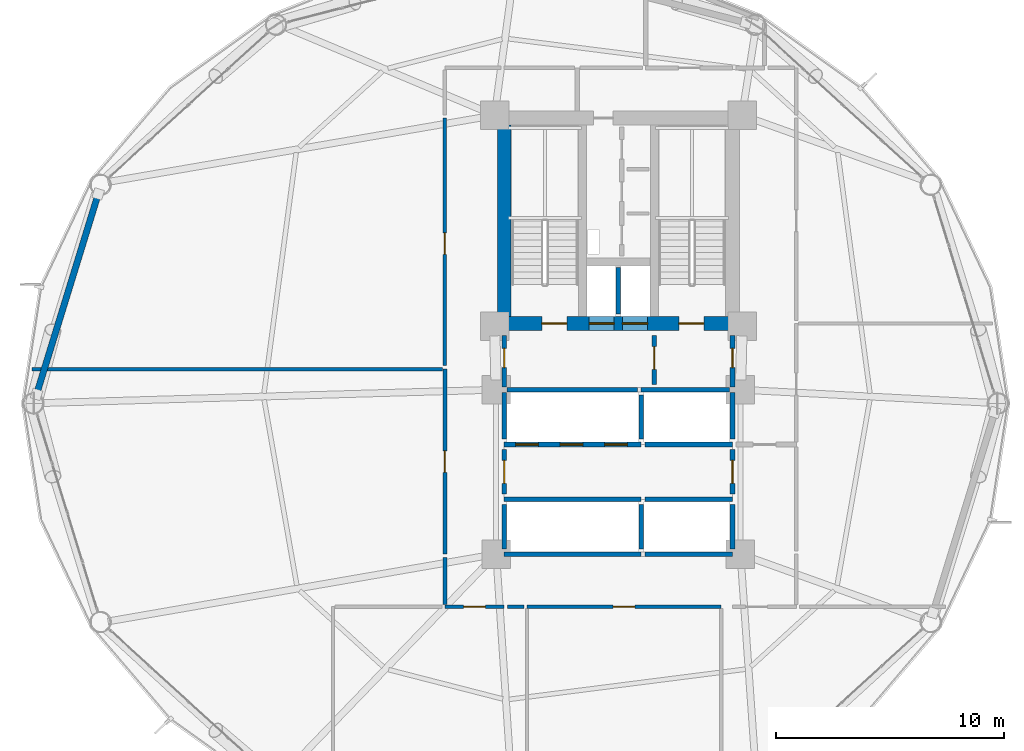
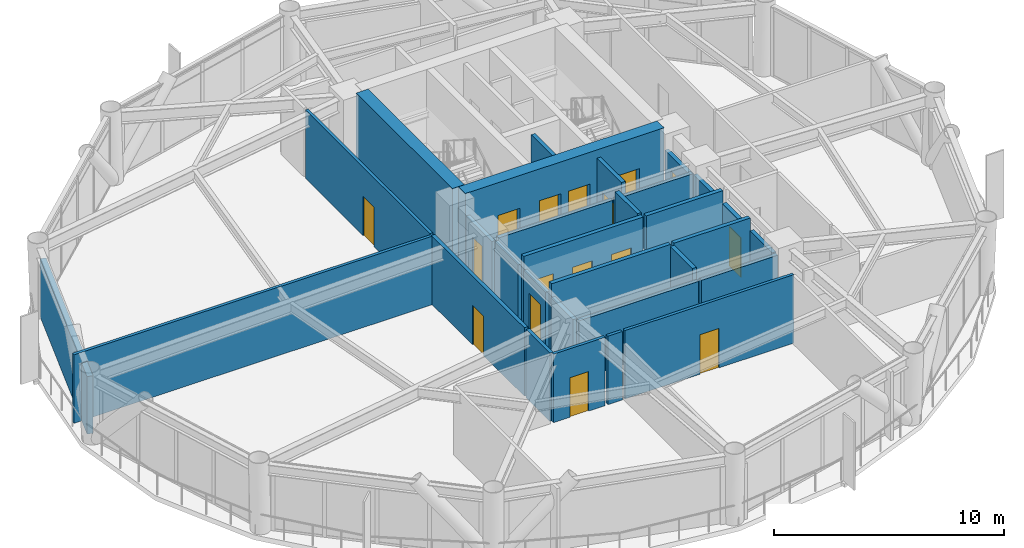
# One storey, part 21 of 26: 30 walls, 16 doors, 16 openings.
"""IFC4 building model written with IfcOpenShell, lengths in metres."""

import ifcopenshell
import ifcopenshell.guid

model = None  # the IFC model being written
_history = None  # IfcOwnerHistory: only IFC2X3 demands one
_inside = {}  # id of a spatial element -> (the spatial element, [elements in it])
_under = {}  # id of a project, library or spatial element -> (it, [spatial elements below it])
_declared = {}  # id of a project -> (the project, [libraries it declares])
_typed = {}  # id of a type object -> (the type object, [elements of that type])
_made_of = {}  # id of a material, layer set ... -> (it, [elements and type objects made of it])


def new_model(schema):
    """Start an empty IFC model of exactly this schema.

    Asked for "IFC4X3", IfcOpenShell would pick the latest addendum, in which some entities
    have other attributes; the version numbers below select the first issue.
    IFC2X3 requires an IfcOwnerHistory on every rooted entity: one is made here for all.
    """
    global model, _history
    if schema == "IFC4X3":
        model = ifcopenshell.file(schema_version=(4, 3, 0, 0))
    else:
        model = ifcopenshell.file(schema=schema)
    _inside.clear()
    _under.clear()
    _declared.clear()
    _typed.clear()
    _made_of.clear()
    _history = None
    if model.schema == "IFC2X3":
        org = make("IfcOrganization", Name="unknown")
        user = make(
            "IfcPersonAndOrganization",
            ThePerson=make("IfcPerson", FamilyName="unknown"),
            TheOrganization=org,
        )
        app = make(
            "IfcApplication",
            ApplicationDeveloper=org,
            Version="unknown",
            ApplicationFullName="unknown",
            ApplicationIdentifier="unknown",
        )
        _history = make(
            "IfcOwnerHistory",
            OwningUser=user,
            OwningApplication=app,
            ChangeAction="ADDED",
            CreationDate=0,
        )
    return model


def make(cls, **values):
    """One entity of the class cls with the attributes given. An attribute that is None is left unset."""
    return model.create_entity(
        cls, **{name: value for name, value in values.items() if value is not None}
    )


def rooted(cls, **values):
    """An entity with a GlobalId (a new one), such as an element, a storey or a relation."""
    return make(cls, GlobalId=ifcopenshell.guid.new(), OwnerHistory=_history, **values)


def si_unit(unit_type, name, prefix=None):
    """IfcSIUnit, for example si_unit("LENGTHUNIT", "METRE", prefix="MILLI")."""
    return make("IfcSIUnit", UnitType=unit_type, Prefix=prefix, Name=name)


def assignment(units):
    """IfcUnitAssignment: the units of a project."""
    return None if units is None else make("IfcUnitAssignment", Units=units)


def point(xyz):
    """IfcCartesianPoint."""
    return None if xyz is None else make("IfcCartesianPoint", Coordinates=xyz)


def direction(xyz):
    """IfcDirection."""
    return None if xyz is None else make("IfcDirection", DirectionRatios=xyz)


def frame(location, z_axis=None, x_axis=None):
    """IfcAxis2Placement3D, a coordinate frame: its origin and axes. An axis left out is left unset."""
    return make(
        "IfcAxis2Placement3D",
        Location=point(location),
        Axis=direction(z_axis),
        RefDirection=direction(x_axis),
    )


def frame_2d(location, x_axis=None):
    """IfcAxis2Placement2D, a coordinate frame in the plane: its origin and x axis."""
    return make(
        "IfcAxis2Placement2D", Location=point(location), RefDirection=direction(x_axis)
    )


def origin():
    """The frame at (0, 0, 0) with its axes left unset."""
    return frame((0.0, 0.0, 0.0))


def place(relative_to, where):
    """IfcLocalPlacement: puts the frame where relative to a parent placement (None: the world)."""
    return make(
        "IfcLocalPlacement", PlacementRelTo=relative_to, RelativePlacement=where
    )


def context(
    kind, dimensions, precision=None, world=None, true_north=None, identifier=None
):
    """IfcGeometricRepresentationContext, for example the 3D "Model" context."""
    return make(
        "IfcGeometricRepresentationContext",
        ContextIdentifier=identifier,
        ContextType=kind,
        CoordinateSpaceDimension=dimensions,
        Precision=precision,
        WorldCoordinateSystem=world,
        TrueNorth=true_north,
    )


def subcontext(parent, identifier, kind, view, scale=None):
    """IfcGeometricRepresentationSubContext, for example "Body" below "Model"."""
    return make(
        "IfcGeometricRepresentationSubContext",
        ContextIdentifier=identifier,
        ContextType=kind,
        ParentContext=parent,
        TargetScale=scale,
        TargetView=view,
    )


def project(units=None, contexts=None):
    """IfcProject with its units and contexts."""
    return rooted(
        "IfcProject",
        Name="project",
        RepresentationContexts=contexts,
        UnitsInContext=assignment(units),
    )


def spatial(cls, under=None, at=None, **own):
    """A site, building, storey or space (cls), placed at a placement, below another one or the project."""
    s = rooted(cls, ObjectPlacement=at, **own)
    if under is not None:
        _under.setdefault(under.id(), (under, []))[1].append(s)
    return s


def profile(cls, at=None, kind="AREA", **sizes):
    """A parametric profile (cls). Its sizes go by their IFC names, for example OverallWidth=200.0."""
    return make(cls, ProfileType=kind, Position=at, **sizes)


def rectangle(**sizes):
    """IfcRectangleProfileDef."""
    return profile("IfcRectangleProfileDef", **sizes)


def extrude(swept, where, along, depth):
    """IfcExtrudedAreaSolid: the profile swept, set in the frame where, extruded along a direction by depth."""
    return make(
        "IfcExtrudedAreaSolid",
        SweptArea=swept,
        Position=where,
        ExtrudedDirection=direction(along),
        Depth=depth,
    )


def shape(context_of_items, identifier, shape_type, items):
    """IfcShapeRepresentation: the items that make up one representation, for example the "Body"."""
    return make(
        "IfcShapeRepresentation",
        ContextOfItems=context_of_items,
        RepresentationIdentifier=identifier,
        RepresentationType=shape_type,
        Items=items,
    )


def material(Name=None, Category=None):
    """IfcMaterial."""
    return make("IfcMaterial", Name=Name, Category=Category)


def layer(
    of_material, thickness, ventilated=None, Name=None, Category=None, Priority=None
):
    """IfcMaterialLayer: one layer of a wall or slab, of a material (None: an air gap)."""
    return make(
        "IfcMaterialLayer",
        Material=of_material,
        LayerThickness=thickness,
        IsVentilated=ventilated,
        Name=Name,
        Category=Category,
        Priority=Priority,
    )


def layer_set(layers, Name=None):
    """IfcMaterialLayerSet."""
    return make("IfcMaterialLayerSet", MaterialLayers=layers, LayerSetName=Name)


def made_of(thing, what):
    """Note that an element or type object is made of a material, layer set ...; save() writes the relation."""
    if what is not None:
        _made_of.setdefault(what.id(), (what, []))[1].append(thing)
    return thing


def type_object(cls, material=None, **own):
    """A type object (cls), such as IfcWallType, which elements share."""
    return made_of(rooted(cls, **own), material)


def element(
    cls,
    number,
    at=None,
    inside=None,
    cuts=None,
    type_object=None,
    material=None,
    context=None,
    identifier="Body",
    shape_type=None,
    held_by="IfcProductDefinitionShape",
    body=None,
    shapes=None,
    **own,
):
    """One element of the class cls, such as IfcWall. Its Tag is "e" and its number.

    at: its placement. inside: the storey or other place that contains it. cuts: it is an
    opening in that element (IfcRelVoidsElement). A single representation is given by context,
    identifier, shape_type and body (its items); several are given by shapes. held_by: the class
    of the entity that holds the representations. save() writes the other relations.
    """
    e = rooted(cls, Tag="e%d" % number, ObjectPlacement=at, **own)
    if body is not None:
        shapes = [shape(context, identifier, shape_type, body)]
    if shapes is not None:
        e.Representation = make(held_by, Representations=shapes)
    if inside is not None:
        _inside.setdefault(inside.id(), (inside, []))[1].append(e)
    if cuts is not None:
        rooted(
            "IfcRelVoidsElement", RelatingBuildingElement=cuts, RelatedOpeningElement=e
        )
    if type_object is not None:
        _typed.setdefault(type_object.id(), (type_object, []))[1].append(e)
    return made_of(e, material)


def fill(opening, filler):
    """IfcRelFillsElement: the door or window that sits in an opening."""
    return rooted(
        "IfcRelFillsElement",
        RelatingOpeningElement=opening,
        RelatedBuildingElement=filler,
    )


def aggregate(whole, parts):
    """IfcRelAggregates: a whole, such as a stair, and the parts it consists of."""
    return rooted("IfcRelAggregates", RelatingObject=whole, RelatedObjects=parts)


def save(model, path):
    """Write the relations noted so far, then the file.

    IfcRelAggregates (storeys below a building ...), IfcRelContainedInSpatialStructure (elements
    in a storey), IfcRelDefinesByType, IfcRelAssociatesMaterial and IfcRelDeclares: one each for
    every whole, place, type object, material and project.
    """
    for whole, parts in _under.values():
        aggregate(whole, parts)
    for where, things in _inside.values():
        rooted(
            "IfcRelContainedInSpatialStructure",
            RelatedElements=things,
            RelatingStructure=where,
        )
    for kind, things in _typed.values():
        rooted("IfcRelDefinesByType", RelatedObjects=things, RelatingType=kind)
    for what, things in _made_of.values():
        rooted("IfcRelAssociatesMaterial", RelatedObjects=things, RelatingMaterial=what)
    for by, libraries in _declared.values():
        rooted("IfcRelDeclares", RelatingContext=by, RelatedDefinitions=libraries)
    model.write(path)


model = new_model("IFC4")

# Units and contexts
model_context = context("Model", 3, precision=1e-05, world=origin(), true_north=direction((0.0, 1.0)))
body_context = subcontext(model_context, "Body", "Model", "MODEL_VIEW")
ifc_project = project(units=[si_unit("LENGTHUNIT", "METRE"), si_unit("AREAUNIT", "SQUARE_METRE"), si_unit("VOLUMEUNIT", "CUBIC_METRE"), si_unit("PLANEANGLEUNIT", "RADIAN"), si_unit("MASSUNIT", "GRAM", prefix="KILO")], contexts=[model_context])

# Site, building, storey
site_placement = place(None, origin())
site = spatial("IfcSite", under=ifc_project, at=site_placement, CompositionType="ELEMENT")
building_placement = place(site_placement, origin())
building = spatial("IfcBuilding", under=site, at=building_placement, Name="Varnakorn Sky Granary", CompositionType="ELEMENT")
storey_placement = place(building_placement, frame((0.0, 0.0, 51.0)))
storey = spatial("IfcBuildingStorey", under=building, at=storey_placement, Name="L12", CompositionType="ELEMENT", Elevation=51.0)

# Wall, openings, doors
ifc_material_1 = material(Name="Concrete C60/75", Category="concrete")
ifc_layer_1 = layer(ifc_material_1, 0.60009765625, Name="Concrete C60/75")
ifc_layer_set_1 = layer_set([ifc_layer_1], Name="Concrete C60/75")
wall_type_1 = type_object("IfcWallType", Name="WT-CW-SHEAR-600", PredefinedType="SHEAR", material=ifc_layer_set_1)
wall_1_placement = place(storey_placement, frame((-2.0, 3.5, 0.0), z_axis=(0.0, 0.0, 1.0), x_axis=(1.0, 0.0, 0.0)))
wall_1 = element("IfcWall", 1, at=wall_1_placement, inside=storey, type_object=wall_type_1, Name="Core South Shear Wall L12", PredefinedType="SHEAR", context=body_context, shape_type="SweptSolid", body=[
    extrude(rectangle(XDim=10.0, YDim=0.60009765625, at=frame_2d((5.0, 0.0))), origin(), (0.0, 0.0, 1.0), 3.89208984375),
])
opening_1_placement = place(wall_1_placement, frame((1.64990234375, 0.0, 0.0)))
opening_1 = element("IfcOpeningElement", 2, at=opening_1_placement, cuts=wall_1, Name="Opening FD-90", PredefinedType="OPENING", context=body_context, shape_type="SweptSolid", body=[
    extrude(rectangle(XDim=1.10009765625, YDim=2.14990234375, at=frame_2d((0.550048828125, 1.074951171875))), frame((0.0, 0.31005859375, 0.0), z_axis=(0.0, -1.0, 0.0), x_axis=(1.0, 0.0, 0.0)), (0.0, 0.0, 1.0), 0.6201171875),
])
opening_2_placement = place(wall_1_placement, frame((7.64990234375, 0.0, 0.0)))
opening_2 = element("IfcOpeningElement", 3, at=opening_2_placement, cuts=wall_1, Name="Opening FD-90", PredefinedType="OPENING", context=body_context, shape_type="SweptSolid", body=[
    extrude(rectangle(XDim=1.10009765625, YDim=2.14990234375, at=frame_2d((0.550048828125, 1.074951171875))), frame((0.0, 0.31005859375, 0.0), z_axis=(0.0, -1.0, 0.0), x_axis=(1.0, 0.0, 0.0)), (0.0, 0.0, 1.0), 0.6201171875),
])
opening_3_placement = place(wall_1_placement, frame((3.719970703125, 0.0, 0.0)))
opening_3 = element("IfcOpeningElement", 4, at=opening_3_placement, cuts=wall_1, Name="Opening LD-01", PredefinedType="OPENING", context=body_context, shape_type="SweptSolid", body=[
    extrude(rectangle(XDim=1.10009765625, YDim=2.199951171875, at=frame_2d((0.550048828125, 1.10009765625))), frame((0.0, 0.31005859375, 0.0), z_axis=(0.0, -1.0, 0.0), x_axis=(1.0, 0.0, 0.0)), (0.0, 0.0, 1.0), 0.6201171875),
])
opening_4_placement = place(wall_1_placement, frame((5.179931640625, 0.0, 0.0)))
opening_4 = element("IfcOpeningElement", 5, at=opening_4_placement, cuts=wall_1, Name="Opening LD-01", PredefinedType="OPENING", context=body_context, shape_type="SweptSolid", body=[
    extrude(rectangle(XDim=1.10009765625, YDim=2.199951171875, at=frame_2d((0.550048828125, 1.10009765625))), frame((0.0, 0.31005859375, 0.0), z_axis=(0.0, -1.0, 0.0), x_axis=(1.0, 0.0, 0.0)), (0.0, 0.0, 1.0), 0.6201171875),
])
ifc_material_2 = material(Name="Brushed Bronze Stainless Steel", Category="steel")
door_type_1 = type_object("IfcDoorType", Name="DR-LD-1100", OperationType="DOUBLE_DOOR_SLIDING", PredefinedType="DOOR", material=ifc_material_2)
door_1_placement = place(opening_3_placement, origin())
door_1 = element("IfcDoor", 6, at=door_1_placement, inside=storey, type_object=door_type_1, Name="Firefighting Lift FFL-1 Landing Door L12", OperationType="DOUBLE_DOOR_SLIDING", OverallHeight=2.199951171875, OverallWidth=1.10009765625, PredefinedType="DOOR", context=body_context, shape_type="SweptSolid", body=[
    extrude(rectangle(XDim=1.10009765625, YDim=2.199951171875, at=frame_2d((0.550048828125, 1.10009765625))), frame((0.0, 0.02490234375, 0.0), z_axis=(0.0, -1.0, 0.0), x_axis=(1.0, 0.0, 0.0)), (0.0, 0.0, 1.0), 0.050048828125),
])
fill(opening_3, door_1)
door_2_placement = place(opening_4_placement, origin())
door_2 = element("IfcDoor", 7, at=door_2_placement, inside=storey, type_object=door_type_1, Name="Firefighting Lift FFL-2 Landing Door L12", OperationType="DOUBLE_DOOR_SLIDING", OverallHeight=2.199951171875, OverallWidth=1.10009765625, PredefinedType="DOOR", context=body_context, shape_type="SweptSolid", body=[
    extrude(rectangle(XDim=1.10009765625, YDim=2.199951171875, at=frame_2d((0.550048828125, 1.10009765625))), frame((0.0, 0.02490234375, 0.0), z_axis=(0.0, -1.0, 0.0), x_axis=(1.0, 0.0, 0.0)), (0.0, 0.0, 1.0), 0.050048828125),
])
fill(opening_4, door_2)
ifc_material_3 = material(Name="Galvanised Painted Steel Leaf", Category="steel")
door_type_2 = type_object("IfcDoorType", Name="DR-STAIR-1100", OperationType="NOTDEFINED", PredefinedType="DOOR", material=ifc_material_3)
door_3_placement = place(opening_1_placement, origin())
door_3 = element("IfcDoor", 8, at=door_3_placement, inside=storey, type_object=door_type_2, Name="Stair ST-1 Protected Fire Door L12", OperationType="SINGLE_SWING_LEFT", OverallHeight=2.14990234375, OverallWidth=1.10009765625, PredefinedType="DOOR", context=body_context, shape_type="SweptSolid", body=[
    extrude(rectangle(XDim=1.10009765625, YDim=2.14990234375, at=frame_2d((0.550048828125, 1.074951171875))), frame((0.0, 0.02490234375, 0.0), z_axis=(0.0, -1.0, 0.0), x_axis=(1.0, 0.0, 0.0)), (0.0, 0.0, 1.0), 0.050048828125),
])
fill(opening_1, door_3)
door_4_placement = place(opening_2_placement, origin())
door_4 = element("IfcDoor", 9, at=door_4_placement, inside=storey, type_object=door_type_2, Name="Stair ST-2 Protected Fire Door L12", OperationType="SINGLE_SWING_RIGHT", OverallHeight=2.14990234375, OverallWidth=1.10009765625, PredefinedType="DOOR", context=body_context, shape_type="SweptSolid", body=[
    extrude(rectangle(XDim=1.10009765625, YDim=2.14990234375, at=frame_2d((0.550048828125, 1.074951171875))), frame((0.0, 0.02490234375, 0.0), z_axis=(0.0, -1.0, 0.0), x_axis=(1.0, 0.0, 0.0)), (0.0, 0.0, 1.0), 0.050048828125),
])
fill(opening_2, door_4)

# Walls
wall_2_placement = place(storey_placement, frame((-2.0, 3.81005859375, 0.0), z_axis=(0.0, 0.0, 1.0), x_axis=(0.0, 1.0, 0.0)))
element("IfcWall", 10, at=wall_2_placement, inside=storey, type_object=wall_type_1, Name="Core West Shear Wall L12", PredefinedType="SHEAR", context=body_context, shape_type="SweptSolid", body=[
    extrude(rectangle(XDim=8.3798828125, YDim=0.60009765625, at=frame_2d((4.18994140625, 0.0))), origin(), (0.0, 0.0, 1.0), 3.89208984375),
])
ifc_material_4 = material(Name="Precast concrete C40/50", Category="concrete")
ifc_layer_2 = layer(ifc_material_4, 0.280029296875, Name="Precast concrete C40/50")
ifc_layer_set_2 = layer_set([ifc_layer_2], Name="Precast concrete C40/50")
wall_type_2 = type_object("IfcWallType", Name="WT-EW-CRN-280", PredefinedType="SOLIDWALL", material=ifc_layer_set_2)
wall_3_placement = place(storey_placement, frame((-22.48681640625, 0.393798828125, 0.0), z_axis=(0.0, 0.0, 1.0), x_axis=(0.29412506019, 0.95576694281, 0.0)))
element("IfcWall", 11, at=wall_3_placement, inside=storey, type_object=wall_type_2, Name="Agritech Insulated Precast Facade Wall L12-P06", PredefinedType="SOLIDWALL", context=body_context, shape_type="SweptSolid", body=[
    extrude(rectangle(XDim=9.18798828125, YDim=0.280029296875, at=frame_2d((4.593994140625, 0.0))), origin(), (0.0, 0.0, 1.0), 3.06005859375),
])

# Wall, opening, door
ifc_material_5 = material(Name="Autoclaved Aerated Concrete Blockwork", Category="masonry")
ifc_layer_3 = layer(ifc_material_5, 0.199951171875, Name="Autoclaved Aerated Concrete Blockwork")
ifc_layer_set_3 = layer_set([ifc_layer_3], Name="Autoclaved Aerated Concrete Blockwork")
wall_type_3 = type_object("IfcWallType", Name="WT-FIRE-200", PredefinedType="MOVABLE", material=ifc_layer_set_3)
wall_4_placement = place(storey_placement, frame((4.580078125, 0.830078125, 0.0), z_axis=(0.0, 0.0, 1.0), x_axis=(0.0, 1.0, 0.0)))
wall_4 = element("IfcWall", 12, at=wall_4_placement, inside=storey, type_object=wall_type_3, Name="Interior Partition Wall L12-016", PredefinedType="MOVABLE", context=body_context, shape_type="SweptSolid", body=[
    extrude(rectangle(XDim=2.139892578125, YDim=0.199951171875, at=frame_2d((1.06982421875, 0.0))), origin(), (0.0, 0.0, 1.0), 3.639892578125),
])
opening_5_placement = place(wall_4_placement, frame((0.659912109375, 0.0, 0.0)))
opening_5 = element("IfcOpeningElement", 13, at=opening_5_placement, cuts=wall_4, Name="Opening FD-60", PredefinedType="OPENING", context=body_context, shape_type="SweptSolid", body=[
    extrude(rectangle(XDim=1.0, YDim=2.10009765625, at=frame_2d((0.5, 1.050048828125))), frame((0.0, 0.10986328125, 0.0), z_axis=(0.0, -1.0, 0.0), x_axis=(1.0, 0.0, 0.0)), (0.0, 0.0, 1.0), 0.219970703125),
])
ifc_material_6 = material(Name="Acoustic Timber Fire Leaf", Category="wood")
door_type_3 = type_object("IfcDoorType", Name="DR-FD60-1000", OperationType="NOTDEFINED", PredefinedType="DOOR", material=ifc_material_6)
door_5_placement = place(opening_5_placement, origin())
door_5 = element("IfcDoor", 14, at=door_5_placement, inside=storey, type_object=door_type_3, Name="Interior Door L12-016-1", OperationType="SINGLE_SWING_RIGHT", OverallHeight=2.10009765625, OverallWidth=1.0, PredefinedType="DOOR", context=body_context, shape_type="SweptSolid", body=[
    extrude(rectangle(XDim=1.0, YDim=2.10009765625, at=frame_2d((0.5, 1.050048828125))), frame((0.0, 0.02490234375, 0.0), z_axis=(0.0, -1.0, 0.0), x_axis=(1.0, 0.0, 0.0)), (0.0, 0.0, 1.0), 0.050048828125),
])
fill(opening_5, door_5)

wall_5_placement = place(storey_placement, frame((-2.0, 0.719970703125, 0.0), z_axis=(0.0, 0.0, 1.0), x_axis=(0.0, 1.0, 0.0)))
wall_5 = element("IfcWall", 15, at=wall_5_placement, inside=storey, type_object=wall_type_3, Name="Interior Partition Wall L12-017", PredefinedType="MOVABLE", context=body_context, shape_type="SweptSolid", body=[
    extrude(rectangle(XDim=2.25, YDim=0.199951171875, at=frame_2d((1.125, 0.0))), origin(), (0.0, 0.0, 1.0), 2.8720703125),
])
opening_6_placement = place(wall_5_placement, frame((0.844970703125, 0.0, 0.0)))
opening_6 = element("IfcOpeningElement", 16, at=opening_6_placement, cuts=wall_5, Name="Opening FD-60N", PredefinedType="OPENING", context=body_context, shape_type="SweptSolid", body=[
    extrude(rectangle(XDim=0.85009765625, YDim=2.10009765625, at=frame_2d((0.425048828125, 1.050048828125))), frame((0.0, 0.10986328125, 0.0), z_axis=(0.0, -1.0, 0.0), x_axis=(1.0, 0.0, 0.0)), (0.0, 0.0, 1.0), 0.219970703125),
])
door_type_4 = type_object("IfcDoorType", Name="DR-FD60-850", OperationType="NOTDEFINED", PredefinedType="DOOR", material=ifc_material_6)
door_6_placement = place(opening_6_placement, origin())
door_6 = element("IfcDoor", 17, at=door_6_placement, inside=storey, type_object=door_type_4, Name="Interior Door L12-017-1", OperationType="SINGLE_SWING_LEFT", OverallHeight=2.10009765625, OverallWidth=0.85009765625, PredefinedType="DOOR", context=body_context, shape_type="SweptSolid", body=[
    extrude(rectangle(XDim=0.85009765625, YDim=2.10009765625, at=frame_2d((0.425048828125, 1.050048828125))), frame((0.0, 0.02490234375, 0.0), z_axis=(0.0, -1.0, 0.0), x_axis=(1.0, 0.0, 0.0)), (0.0, 0.0, 1.0), 0.050048828125),
])
fill(opening_6, door_6)

wall_6_placement = place(storey_placement, frame((8.0, 0.719970703125, 0.0), z_axis=(0.0, 0.0, 1.0), x_axis=(0.0, 1.0, 0.0)))
wall_6 = element("IfcWall", 18, at=wall_6_placement, inside=storey, type_object=wall_type_3, Name="Interior Partition Wall L12-018", PredefinedType="MOVABLE", context=body_context, shape_type="SweptSolid", body=[
    extrude(rectangle(XDim=2.25, YDim=0.199951171875, at=frame_2d((1.125, 0.0))), origin(), (0.0, 0.0, 1.0), 2.8720703125),
])
opening_7_placement = place(wall_6_placement, frame((0.844970703125, 0.0, 0.0)))
opening_7 = element("IfcOpeningElement", 19, at=opening_7_placement, cuts=wall_6, Name="Opening FD-60N", PredefinedType="OPENING", context=body_context, shape_type="SweptSolid", body=[
    extrude(rectangle(XDim=0.85009765625, YDim=2.10009765625, at=frame_2d((0.425048828125, 1.050048828125))), frame((0.0, 0.10986328125, 0.0), z_axis=(0.0, -1.0, 0.0), x_axis=(1.0, 0.0, 0.0)), (0.0, 0.0, 1.0), 0.219970703125),
])
door_7_placement = place(opening_7_placement, origin())
door_7 = element("IfcDoor", 20, at=door_7_placement, inside=storey, type_object=door_type_4, Name="Interior Door L12-018-1", OperationType="SINGLE_SWING_RIGHT", OverallHeight=2.10009765625, OverallWidth=0.85009765625, PredefinedType="DOOR", context=body_context, shape_type="SweptSolid", body=[
    extrude(rectangle(XDim=0.85009765625, YDim=2.10009765625, at=frame_2d((0.425048828125, 1.050048828125))), frame((0.0, 0.02490234375, 0.0), z_axis=(0.0, -1.0, 0.0), x_axis=(1.0, 0.0, 0.0)), (0.0, 0.0, 1.0), 0.050048828125),
])
fill(opening_7, door_7)

wall_7_placement = place(storey_placement, frame((-2.0, -3.969970703125, 0.0), z_axis=(0.0, 0.0, 1.0), x_axis=(0.0, 1.0, 0.0)))
wall_7 = element("IfcWall", 21, at=wall_7_placement, inside=storey, type_object=wall_type_3, Name="Interior Partition Wall L12-019", PredefinedType="MOVABLE", context=body_context, shape_type="SweptSolid", body=[
    extrude(rectangle(XDim=1.93994140625, YDim=0.199951171875, at=frame_2d((0.969970703125, 0.0))), origin(), (0.0, 0.0, 1.0), 3.02197265625),
])
opening_8_placement = place(wall_7_placement, frame((0.469970703125, 0.0, 0.0)))
opening_8 = element("IfcOpeningElement", 22, at=opening_8_placement, cuts=wall_7, Name="Opening FD-60", PredefinedType="OPENING", context=body_context, shape_type="SweptSolid", body=[
    extrude(rectangle(XDim=1.0, YDim=2.10009765625, at=frame_2d((0.5, 1.050048828125))), frame((0.0, 0.10986328125, 0.0), z_axis=(0.0, -1.0, 0.0), x_axis=(1.0, 0.0, 0.0)), (0.0, 0.0, 1.0), 0.219970703125),
])
door_8_placement = place(opening_8_placement, origin())
door_8 = element("IfcDoor", 23, at=door_8_placement, inside=storey, type_object=door_type_3, Name="Interior Door L12-019-1", OperationType="SINGLE_SWING_LEFT", OverallHeight=2.10009765625, OverallWidth=1.0, PredefinedType="DOOR", context=body_context, shape_type="SweptSolid", body=[
    extrude(rectangle(XDim=1.0, YDim=2.10009765625, at=frame_2d((0.5, 1.050048828125))), frame((0.0, 0.02490234375, 0.0), z_axis=(0.0, -1.0, 0.0), x_axis=(1.0, 0.0, 0.0)), (0.0, 0.0, 1.0), 0.050048828125),
])
fill(opening_8, door_8)

wall_8_placement = place(storey_placement, frame((8.0, -3.969970703125, 0.0), z_axis=(0.0, 0.0, 1.0), x_axis=(0.0, 1.0, 0.0)))
wall_8 = element("IfcWall", 24, at=wall_8_placement, inside=storey, type_object=wall_type_3, Name="Interior Partition Wall L12-020", PredefinedType="MOVABLE", context=body_context, shape_type="SweptSolid", body=[
    extrude(rectangle(XDim=1.93994140625, YDim=0.199951171875, at=frame_2d((0.969970703125, 0.0))), origin(), (0.0, 0.0, 1.0), 3.072021484375),
])
opening_9_placement = place(wall_8_placement, frame((0.469970703125, 0.0, 0.0)))
opening_9 = element("IfcOpeningElement", 25, at=opening_9_placement, cuts=wall_8, Name="Opening FD-60", PredefinedType="OPENING", context=body_context, shape_type="SweptSolid", body=[
    extrude(rectangle(XDim=1.0, YDim=2.10009765625, at=frame_2d((0.5, 1.050048828125))), frame((0.0, 0.10986328125, 0.0), z_axis=(0.0, -1.0, 0.0), x_axis=(1.0, 0.0, 0.0)), (0.0, 0.0, 1.0), 0.219970703125),
])
door_9_placement = place(opening_9_placement, origin())
door_9 = element("IfcDoor", 26, at=door_9_placement, inside=storey, type_object=door_type_3, Name="Interior Door L12-020-1", OperationType="SINGLE_SWING_RIGHT", OverallHeight=2.10009765625, OverallWidth=1.0, PredefinedType="DOOR", context=body_context, shape_type="SweptSolid", body=[
    extrude(rectangle(XDim=1.0, YDim=2.10009765625, at=frame_2d((0.5, 1.050048828125))), frame((0.0, 0.02490234375, 0.0), z_axis=(0.0, -1.0, 0.0), x_axis=(1.0, 0.0, 0.0)), (0.0, 0.0, 1.0), 0.050048828125),
])
fill(opening_9, door_9)

# Wall
wall_9_placement = place(storey_placement, frame((-1.8798828125, 0.60009765625, 0.0), z_axis=(0.0, 0.0, 1.0), x_axis=(1.0, 0.0, 0.0)))
element("IfcWall", 27, at=wall_9_placement, inside=storey, type_object=wall_type_3, Name="Interior Partition Wall L12-032", PredefinedType="MOVABLE", context=body_context, shape_type="SweptSolid", body=[
    extrude(rectangle(XDim=5.719970703125, YDim=0.199951171875, at=frame_2d((2.85986328125, 0.0))), origin(), (0.0, 0.0, 1.0), 3.1220703125),
])

# Wall, opening, door
ifc_material_7 = material(Name="Gypsum Plasterboard on Steel Stud", Category="steel")
ifc_layer_4 = layer(ifc_material_7, 0.14990234375, Name="Gypsum Plasterboard on Steel Stud")
ifc_layer_set_4 = layer_set([ifc_layer_4], Name="Gypsum Plasterboard on Steel Stud")
wall_type_4 = type_object("IfcWallType", Name="WT-PART-150", PredefinedType="PARTITIONING", material=ifc_layer_set_4)
wall_10_placement = place(storey_placement, frame((-4.60009765625, -8.89990234375, 0.0), z_axis=(0.0, 0.0, 1.0), x_axis=(1.0, 0.0, 0.0)))
wall_10 = element("IfcWall", 28, at=wall_10_placement, inside=storey, type_object=wall_type_4, Name="Interior Partition Wall L12-023", PredefinedType="PARTITIONING", context=body_context, shape_type="SweptSolid", body=[
    extrude(rectangle(XDim=2.60009765625, YDim=0.14990234375, at=frame_2d((1.300048828125, 0.0))), origin(), (0.0, 0.0, 1.0), 3.639892578125),
])
opening_10_placement = place(wall_10_placement, frame((0.824951171875, 0.0, 0.0)))
opening_10 = element("IfcOpeningElement", 29, at=opening_10_placement, cuts=wall_10, Name="Opening ID-95", PredefinedType="OPENING", context=body_context, shape_type="SweptSolid", body=[
    extrude(rectangle(XDim=0.949951171875, YDim=2.10009765625, at=frame_2d((0.47509765625, 1.050048828125))), frame((0.0, 0.0849609375, 0.0), z_axis=(0.0, -1.0, 0.0), x_axis=(1.0, 0.0, 0.0)), (0.0, 0.0, 1.0), 0.169921875),
])
ifc_material_8 = material(Name="Solid-Core Teak Veneer Leaf", Category="timber")
door_type_5 = type_object("IfcDoorType", Name="DR-INT-950", OperationType="NOTDEFINED", PredefinedType="DOOR", material=ifc_material_8)
door_10_placement = place(opening_10_placement, origin())
door_10 = element("IfcDoor", 30, at=door_10_placement, inside=storey, type_object=door_type_5, Name="Interior Door L12-023-1", OperationType="SINGLE_SWING_LEFT", OverallHeight=2.10009765625, OverallWidth=0.949951171875, PredefinedType="DOOR", context=body_context, shape_type="SweptSolid", body=[
    extrude(rectangle(XDim=0.949951171875, YDim=2.10009765625, at=frame_2d((0.47509765625, 1.050048828125))), frame((0.0, 0.02490234375, 0.0), z_axis=(0.0, -1.0, 0.0), x_axis=(1.0, 0.0, 0.0)), (0.0, 0.0, 1.0), 0.050048828125),
])
fill(opening_10, door_10)

wall_11_placement = place(storey_placement, frame((-1.0, -8.89990234375, 0.0), z_axis=(0.0, 0.0, 1.0), x_axis=(1.0, 0.0, 0.0)))
wall_11 = element("IfcWall", 31, at=wall_11_placement, inside=storey, type_object=wall_type_4, Name="Interior Partition Wall L12-024", PredefinedType="PARTITIONING", context=body_context, shape_type="SweptSolid", body=[
    extrude(rectangle(XDim=8.5, YDim=0.14990234375, at=frame_2d((4.25, 0.0))), origin(), (0.0, 0.0, 1.0), 3.639892578125),
])
opening_11_placement = place(wall_11_placement, frame((3.77490234375, 0.0, 0.0)))
opening_11 = element("IfcOpeningElement", 32, at=opening_11_placement, cuts=wall_11, Name="Opening ID-95", PredefinedType="OPENING", context=body_context, shape_type="SweptSolid", body=[
    extrude(rectangle(XDim=0.949951171875, YDim=2.10009765625, at=frame_2d((0.47509765625, 1.050048828125))), frame((0.0, 0.0849609375, 0.0), z_axis=(0.0, -1.0, 0.0), x_axis=(1.0, 0.0, 0.0)), (0.0, 0.0, 1.0), 0.169921875),
])
door_11_placement = place(opening_11_placement, origin())
door_11 = element("IfcDoor", 33, at=door_11_placement, inside=storey, type_object=door_type_5, Name="Interior Door L12-024-1", OperationType="SINGLE_SWING_RIGHT", OverallHeight=2.10009765625, OverallWidth=0.949951171875, PredefinedType="DOOR", context=body_context, shape_type="SweptSolid", body=[
    extrude(rectangle(XDim=0.949951171875, YDim=2.10009765625, at=frame_2d((0.47509765625, 1.050048828125))), frame((0.0, 0.02490234375, 0.0), z_axis=(0.0, -1.0, 0.0), x_axis=(1.0, 0.0, 0.0)), (0.0, 0.0, 1.0), 0.050048828125),
])
fill(opening_11, door_11)

wall_12_placement = place(storey_placement, frame((-4.60009765625, 12.5, 0.0), z_axis=(0.0, 0.0, 1.0), x_axis=(0.0, -1.0, 0.0)))
wall_12 = element("IfcWall", 34, at=wall_12_placement, inside=storey, type_object=wall_type_4, Name="Interior Partition Wall L12-027", PredefinedType="PARTITIONING", context=body_context, shape_type="SweptSolid", body=[
    extrude(rectangle(XDim=10.85009765625, YDim=0.14990234375, at=frame_2d((5.425048828125, 0.0))), origin(), (0.0, 0.0, 1.0), 3.639892578125),
])
opening_12_placement = place(wall_12_placement, frame((5.02490234375, 0.0, 0.0)))
opening_12 = element("IfcOpeningElement", 35, at=opening_12_placement, cuts=wall_12, Name="Opening ID-95", PredefinedType="OPENING", context=body_context, shape_type="SweptSolid", body=[
    extrude(rectangle(XDim=0.949951171875, YDim=2.10009765625, at=frame_2d((0.47509765625, 1.050048828125))), frame((0.0, 0.0849609375, 0.0), z_axis=(0.0, -1.0, 0.0), x_axis=(1.0, 0.0, 0.0)), (0.0, 0.0, 1.0), 0.169921875),
])
door_12_placement = place(opening_12_placement, origin())
door_12 = element("IfcDoor", 36, at=door_12_placement, inside=storey, type_object=door_type_5, Name="Interior Door L12-027-1", OperationType="SINGLE_SWING_LEFT", OverallHeight=2.10009765625, OverallWidth=0.949951171875, PredefinedType="DOOR", context=body_context, shape_type="SweptSolid", body=[
    extrude(rectangle(XDim=0.949951171875, YDim=2.10009765625, at=frame_2d((0.47509765625, 1.050048828125))), frame((0.0, 0.02490234375, 0.0), z_axis=(0.0, -1.0, 0.0), x_axis=(1.0, 0.0, 0.0)), (0.0, 0.0, 1.0), 0.050048828125),
])
fill(opening_12, door_12)

# Walls
wall_13_placement = place(storey_placement, frame((-1.864990234375, -8.89990234375, 0.0), z_axis=(0.0, 0.0, 1.0), x_axis=(1.0, 0.0, 0.0)))
element("IfcWall", 37, at=wall_13_placement, inside=storey, type_object=wall_type_4, Name="Interior Partition Wall L12-035", PredefinedType="PARTITIONING", context=body_context, shape_type="SweptSolid", body=[
    extrude(rectangle(XDim=0.72998046875, YDim=0.14990234375, at=frame_2d((0.364990234375, 0.0))), origin(), (0.0, 0.0, 1.0), 3.639892578125),
])
wall_14_placement = place(storey_placement, frame((-22.68896484375, 1.5, 0.0), z_axis=(0.0, 0.0, 1.0), x_axis=(1.0, 0.0, 0.0)))
element("IfcWall", 38, at=wall_14_placement, inside=storey, type_object=wall_type_4, Name="Interior Partition Wall L12-042", PredefinedType="PARTITIONING", context=body_context, shape_type="SweptSolid", body=[
    extrude(rectangle(XDim=17.989013671875, YDim=0.14990234375, at=frame_2d((8.99462890625, 0.0))), origin(), (0.0, 0.0, 1.0), 3.639892578125),
])

# Wall, opening, door
ifc_material_9 = material(Name="Moisture-Resistant Gypsum on Stud", Category="gypsum")
ifc_layer_5 = layer(ifc_material_9, 0.179931640625, Name="Moisture-Resistant Gypsum on Stud")
ifc_layer_set_5 = layer_set([ifc_layer_5], Name="Moisture-Resistant Gypsum on Stud")
wall_type_5 = type_object("IfcWallType", Name="WT-PLUMB-180", PredefinedType="PLUMBINGWALL", material=ifc_layer_set_5)
wall_15_placement = place(storey_placement, frame((-4.60009765625, 1.5, 0.0), z_axis=(0.0, 0.0, 1.0), x_axis=(0.0, -1.0, 0.0)))
wall_15 = element("IfcWall", 39, at=wall_15_placement, inside=storey, type_object=wall_type_5, Name="Interior Partition Wall L12-026", PredefinedType="PLUMBINGWALL", context=body_context, shape_type="SweptSolid", body=[
    extrude(rectangle(XDim=8.10009765625, YDim=0.179931640625, at=frame_2d((4.050048828125, 0.0))), origin(), (0.0, 0.0, 1.0), 3.639892578125),
])
opening_13_placement = place(wall_15_placement, frame((3.574951171875, 0.0, 0.0)))
opening_13 = element("IfcOpeningElement", 40, at=opening_13_placement, cuts=wall_15, Name="Opening ID-95", PredefinedType="OPENING", context=body_context, shape_type="SweptSolid", body=[
    extrude(rectangle(XDim=0.949951171875, YDim=2.10009765625, at=frame_2d((0.47509765625, 1.050048828125))), frame((0.0, 0.10009765625, 0.0), z_axis=(0.0, -1.0, 0.0), x_axis=(1.0, 0.0, 0.0)), (0.0, 0.0, 1.0), 0.199951171875),
])
door_13_placement = place(opening_13_placement, origin())
door_13 = element("IfcDoor", 41, at=door_13_placement, inside=storey, type_object=door_type_5, Name="Interior Door L12-026-1", OperationType="SINGLE_SWING_RIGHT", OverallHeight=2.10009765625, OverallWidth=0.949951171875, PredefinedType="DOOR", context=body_context, shape_type="SweptSolid", body=[
    extrude(rectangle(XDim=0.949951171875, YDim=2.10009765625, at=frame_2d((0.47509765625, 1.050048828125))), frame((0.0, 0.02490234375, 0.0), z_axis=(0.0, -1.0, 0.0), x_axis=(1.0, 0.0, 0.0)), (0.0, 0.0, 1.0), 0.050048828125),
])
fill(opening_13, door_13)

# Walls
wall_16_placement = place(storey_placement, frame((-4.60009765625, -6.75, 0.0), z_axis=(0.0, 0.0, 1.0), x_axis=(0.0, -1.0, 0.0)))
element("IfcWall", 42, at=wall_16_placement, inside=storey, type_object=wall_type_5, Name="Interior Partition Wall L12-041", PredefinedType="PLUMBINGWALL", context=body_context, shape_type="SweptSolid", body=[
    extrude(rectangle(XDim=2.06494140625, YDim=0.179931640625, at=frame_2d((1.032470703125, 0.0))), origin(), (0.0, 0.0, 1.0), 3.639892578125),
])
ifc_layer_6 = layer(ifc_material_5, 0.199951171875, Name="Autoclaved Aerated Concrete Blockwork")
ifc_layer_set_6 = layer_set([ifc_layer_6], Name="Autoclaved Aerated Concrete Blockwork")
wall_type_6 = type_object("IfcWallType", Name="WT-SHAFT-200", PredefinedType="SOLIDWALL", material=ifc_layer_set_6)
wall_17_placement = place(storey_placement, frame((3.0, 3.919921875, 0.0), z_axis=(0.0, 0.0, 1.0), x_axis=(0.0, 1.0, 0.0)))
element("IfcWall", 43, at=wall_17_placement, inside=storey, type_object=wall_type_6, Name="Interior Partition Wall L12-001", PredefinedType="SOLIDWALL", context=body_context, shape_type="SweptSolid", body=[
    extrude(rectangle(XDim=2.030029296875, YDim=0.199951171875, at=frame_2d((1.01513671875, 0.0))), origin(), (0.0, 0.0, 1.0), 3.639892578125),
])
wall_18_placement = place(storey_placement, frame((4.0, 0.60009765625, 0.0), z_axis=(0.0, 0.0, 1.0), x_axis=(1.0, 0.0, 0.0)))
element("IfcWall", 44, at=wall_18_placement, inside=storey, type_object=wall_type_6, Name="Interior Partition Wall L12-002", PredefinedType="SOLIDWALL", context=body_context, shape_type="SweptSolid", body=[
    extrude(rectangle(XDim=3.8798828125, YDim=0.199951171875, at=frame_2d((1.93994140625, 0.0))), origin(), (0.0, 0.0, 1.0), 3.1220703125),
])

# Wall, openings, doors
wall_19_placement = place(storey_placement, frame((-2.0, -1.800048828125, 0.0), z_axis=(0.0, 0.0, 1.0), x_axis=(1.0, 0.0, 0.0)))
wall_19 = element("IfcWall", 45, at=wall_19_placement, inside=storey, type_object=wall_type_6, Name="Interior Partition Wall L12-003", PredefinedType="SOLIDWALL", context=body_context, shape_type="SweptSolid", body=[
    extrude(rectangle(XDim=6.0, YDim=0.199951171875, at=frame_2d((3.0, 0.0))), origin(), (0.0, 0.0, 1.0), 3.639892578125),
])
opening_14_placement = place(wall_19_placement, frame((0.5, 0.0, 0.0)))
opening_14 = element("IfcOpeningElement", 46, at=opening_14_placement, cuts=wall_19, Name="Opening LD-03", PredefinedType="OPENING", context=body_context, shape_type="SweptSolid", body=[
    extrude(rectangle(XDim=1.0, YDim=2.199951171875, at=frame_2d((0.5, 1.10009765625))), frame((0.0, 0.10986328125, 0.0), z_axis=(0.0, -1.0, 0.0), x_axis=(1.0, 0.0, 0.0)), (0.0, 0.0, 1.0), 0.219970703125),
])
opening_15_placement = place(wall_19_placement, frame((2.449951171875, 0.0, 0.0)))
opening_15 = element("IfcOpeningElement", 47, at=opening_15_placement, cuts=wall_19, Name="Opening LD-03", PredefinedType="OPENING", context=body_context, shape_type="SweptSolid", body=[
    extrude(rectangle(XDim=1.0, YDim=2.199951171875, at=frame_2d((0.5, 1.10009765625))), frame((0.0, 0.10986328125, 0.0), z_axis=(0.0, -1.0, 0.0), x_axis=(1.0, 0.0, 0.0)), (0.0, 0.0, 1.0), 0.219970703125),
])
opening_16_placement = place(wall_19_placement, frame((4.39990234375, 0.0, 0.0)))
opening_16 = element("IfcOpeningElement", 48, at=opening_16_placement, cuts=wall_19, Name="Opening LD-03", PredefinedType="OPENING", context=body_context, shape_type="SweptSolid", body=[
    extrude(rectangle(XDim=1.0, YDim=2.199951171875, at=frame_2d((0.5, 1.10009765625))), frame((0.0, 0.10986328125, 0.0), z_axis=(0.0, -1.0, 0.0), x_axis=(1.0, 0.0, 0.0)), (0.0, 0.0, 1.0), 0.219970703125),
])
door_type_6 = type_object("IfcDoorType", Name="DR-LD-1000", OperationType="DOUBLE_DOOR_SLIDING", PredefinedType="DOOR", material=ifc_material_2)
door_14_placement = place(opening_14_placement, origin())
door_14 = element("IfcDoor", 49, at=door_14_placement, inside=storey, type_object=door_type_6, Name="Passenger Lift PL-L1 Sliding Landing Door L12", OperationType="DOUBLE_DOOR_SLIDING", OverallHeight=2.199951171875, OverallWidth=1.0, PredefinedType="DOOR", context=body_context, shape_type="SweptSolid", body=[
    extrude(rectangle(XDim=1.0, YDim=2.199951171875, at=frame_2d((0.5, 1.10009765625))), frame((0.0, 0.02490234375, 0.0), z_axis=(0.0, -1.0, 0.0), x_axis=(1.0, 0.0, 0.0)), (0.0, 0.0, 1.0), 0.050048828125),
])
fill(opening_14, door_14)
door_15_placement = place(opening_15_placement, origin())
door_15 = element("IfcDoor", 50, at=door_15_placement, inside=storey, type_object=door_type_6, Name="Passenger Lift PL-L2 Sliding Landing Door L12", OperationType="DOUBLE_DOOR_SLIDING", OverallHeight=2.199951171875, OverallWidth=1.0, PredefinedType="DOOR", context=body_context, shape_type="SweptSolid", body=[
    extrude(rectangle(XDim=1.0, YDim=2.199951171875, at=frame_2d((0.5, 1.10009765625))), frame((0.0, 0.02490234375, 0.0), z_axis=(0.0, -1.0, 0.0), x_axis=(1.0, 0.0, 0.0)), (0.0, 0.0, 1.0), 0.050048828125),
])
fill(opening_15, door_15)
door_16_placement = place(opening_16_placement, origin())
door_16 = element("IfcDoor", 51, at=door_16_placement, inside=storey, type_object=door_type_6, Name="Passenger Lift PL-L3 Sliding Landing Door L12", OperationType="DOUBLE_DOOR_SLIDING", OverallHeight=2.199951171875, OverallWidth=1.0, PredefinedType="DOOR", context=body_context, shape_type="SweptSolid", body=[
    extrude(rectangle(XDim=1.0, YDim=2.199951171875, at=frame_2d((0.5, 1.10009765625))), frame((0.0, 0.02490234375, 0.0), z_axis=(0.0, -1.0, 0.0), x_axis=(1.0, 0.0, 0.0)), (0.0, 0.0, 1.0), 0.050048828125),
])
fill(opening_16, door_16)

# Walls
wall_20_placement = place(storey_placement, frame((-2.0, -1.570068359375, 0.0), z_axis=(0.0, 0.0, 1.0), x_axis=(0.0, 1.0, 0.0)))
element("IfcWall", 52, at=wall_20_placement, inside=storey, type_object=wall_type_6, Name="Interior Partition Wall L12-004", PredefinedType="SOLIDWALL", context=body_context, shape_type="SweptSolid", body=[
    extrude(rectangle(XDim=2.050048828125, YDim=0.199951171875, at=frame_2d((1.02490234375, 0.0))), origin(), (0.0, 0.0, 1.0), 3.02197265625),
])
wall_21_placement = place(storey_placement, frame((4.159912109375, -1.800048828125, 0.0), z_axis=(0.0, 0.0, 1.0), x_axis=(1.0, 0.0, 0.0)))
element("IfcWall", 53, at=wall_21_placement, inside=storey, type_object=wall_type_6, Name="Interior Partition Wall L12-005", PredefinedType="SOLIDWALL", context=body_context, shape_type="SweptSolid", body=[
    extrude(rectangle(XDim=3.840087890625, YDim=0.199951171875, at=frame_2d((1.919921875, 0.0))), origin(), (0.0, 0.0, 1.0), 3.639892578125),
])
wall_22_placement = place(storey_placement, frame((4.0, -1.570068359375, 0.0), z_axis=(0.0, 0.0, 1.0), x_axis=(0.0, 1.0, 0.0)))
element("IfcWall", 54, at=wall_22_placement, inside=storey, type_object=wall_type_6, Name="Interior Partition Wall L12-006", PredefinedType="SOLIDWALL", context=body_context, shape_type="SweptSolid", body=[
    extrude(rectangle(XDim=1.940185546875, YDim=0.199951171875, at=frame_2d((0.97021484375, 0.0))), origin(), (0.0, 0.0, 1.0), 3.639892578125),
])
wall_23_placement = place(storey_placement, frame((8.0, -1.570068359375, 0.0), z_axis=(0.0, 0.0, 1.0), x_axis=(0.0, 1.0, 0.0)))
element("IfcWall", 55, at=wall_23_placement, inside=storey, type_object=wall_type_6, Name="Interior Partition Wall L12-007", PredefinedType="SOLIDWALL", context=body_context, shape_type="SweptSolid", body=[
    extrude(rectangle(XDim=2.050048828125, YDim=0.199951171875, at=frame_2d((1.02490234375, 0.0))), origin(), (0.0, 0.0, 1.0), 3.072021484375),
])
wall_24_placement = place(storey_placement, frame((-2.0, -4.199951171875, 0.0), z_axis=(0.0, 0.0, 1.0), x_axis=(1.0, 0.0, 0.0)))
element("IfcWall", 56, at=wall_24_placement, inside=storey, type_object=wall_type_6, Name="Interior Partition Wall L12-008", PredefinedType="SOLIDWALL", context=body_context, shape_type="SweptSolid", body=[
    extrude(rectangle(XDim=6.0, YDim=0.199951171875, at=frame_2d((3.0, 0.0))), origin(), (0.0, 0.0, 1.0), 3.639892578125),
])
wall_25_placement = place(storey_placement, frame((-2.0, -6.60009765625, 0.0), z_axis=(0.0, 0.0, 1.0), x_axis=(1.0, 0.0, 0.0)))
element("IfcWall", 57, at=wall_25_placement, inside=storey, type_object=wall_type_6, Name="Interior Partition Wall L12-009", PredefinedType="SOLIDWALL", context=body_context, shape_type="SweptSolid", body=[
    extrude(rectangle(XDim=6.0, YDim=0.199951171875, at=frame_2d((3.0, 0.0))), origin(), (0.0, 0.0, 1.0), 3.1220703125),
])
wall_26_placement = place(storey_placement, frame((-2.0, -6.3701171875, 0.0), z_axis=(0.0, 0.0, 1.0), x_axis=(0.0, 1.0, 0.0)))
element("IfcWall", 58, at=wall_26_placement, inside=storey, type_object=wall_type_6, Name="Interior Partition Wall L12-010", PredefinedType="SOLIDWALL", context=body_context, shape_type="SweptSolid", body=[
    extrude(rectangle(XDim=1.940185546875, YDim=0.199951171875, at=frame_2d((0.97021484375, 0.0))), origin(), (0.0, 0.0, 1.0), 3.02197265625),
])
wall_27_placement = place(storey_placement, frame((4.159912109375, -4.199951171875, 0.0), z_axis=(0.0, 0.0, 1.0), x_axis=(1.0, 0.0, 0.0)))
element("IfcWall", 59, at=wall_27_placement, inside=storey, type_object=wall_type_6, Name="Interior Partition Wall L12-011", PredefinedType="SOLIDWALL", context=body_context, shape_type="SweptSolid", body=[
    extrude(rectangle(XDim=3.840087890625, YDim=0.199951171875, at=frame_2d((1.919921875, 0.0))), origin(), (0.0, 0.0, 1.0), 3.639892578125),
])
wall_28_placement = place(storey_placement, frame((4.159912109375, -6.60009765625, 0.0), z_axis=(0.0, 0.0, 1.0), x_axis=(1.0, 0.0, 0.0)))
element("IfcWall", 60, at=wall_28_placement, inside=storey, type_object=wall_type_6, Name="Interior Partition Wall L12-012", PredefinedType="SOLIDWALL", context=body_context, shape_type="SweptSolid", body=[
    extrude(rectangle(XDim=3.840087890625, YDim=0.199951171875, at=frame_2d((1.919921875, 0.0))), origin(), (0.0, 0.0, 1.0), 3.1220703125),
])
wall_29_placement = place(storey_placement, frame((4.0, -6.3701171875, 0.0), z_axis=(0.0, 0.0, 1.0), x_axis=(0.0, 1.0, 0.0)))
element("IfcWall", 61, at=wall_29_placement, inside=storey, type_object=wall_type_6, Name="Interior Partition Wall L12-013", PredefinedType="SOLIDWALL", context=body_context, shape_type="SweptSolid", body=[
    extrude(rectangle(XDim=1.940185546875, YDim=0.199951171875, at=frame_2d((0.97021484375, 0.0))), origin(), (0.0, 0.0, 1.0), 3.639892578125),
])
wall_30_placement = place(storey_placement, frame((8.0, -6.3701171875, 0.0), z_axis=(0.0, 0.0, 1.0), x_axis=(0.0, 1.0, 0.0)))
element("IfcWall", 62, at=wall_30_placement, inside=storey, type_object=wall_type_6, Name="Interior Partition Wall L12-014", PredefinedType="SOLIDWALL", context=body_context, shape_type="SweptSolid", body=[
    extrude(rectangle(XDim=1.940185546875, YDim=0.199951171875, at=frame_2d((0.97021484375, 0.0))), origin(), (0.0, 0.0, 1.0), 3.072021484375),
])

save(model, "model.ifc")
